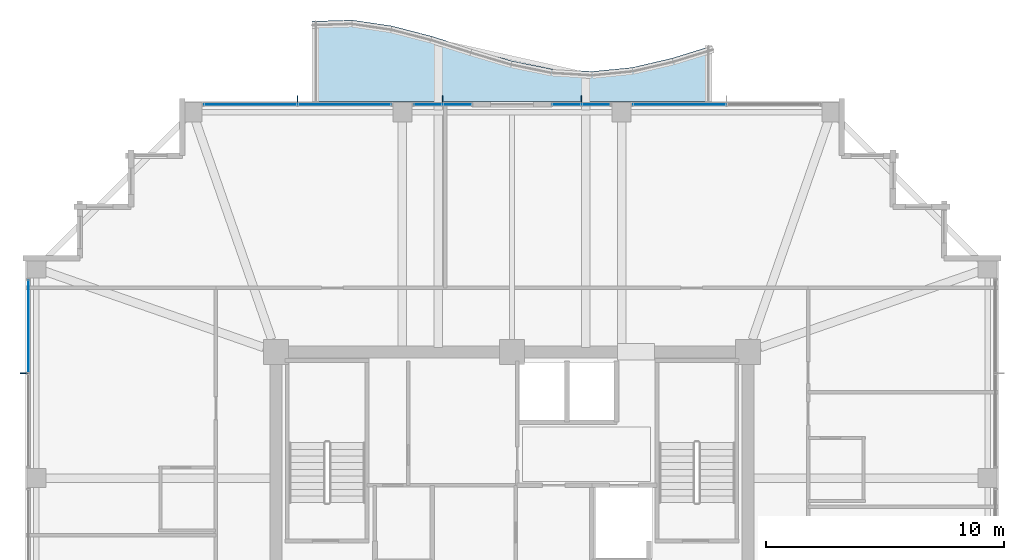
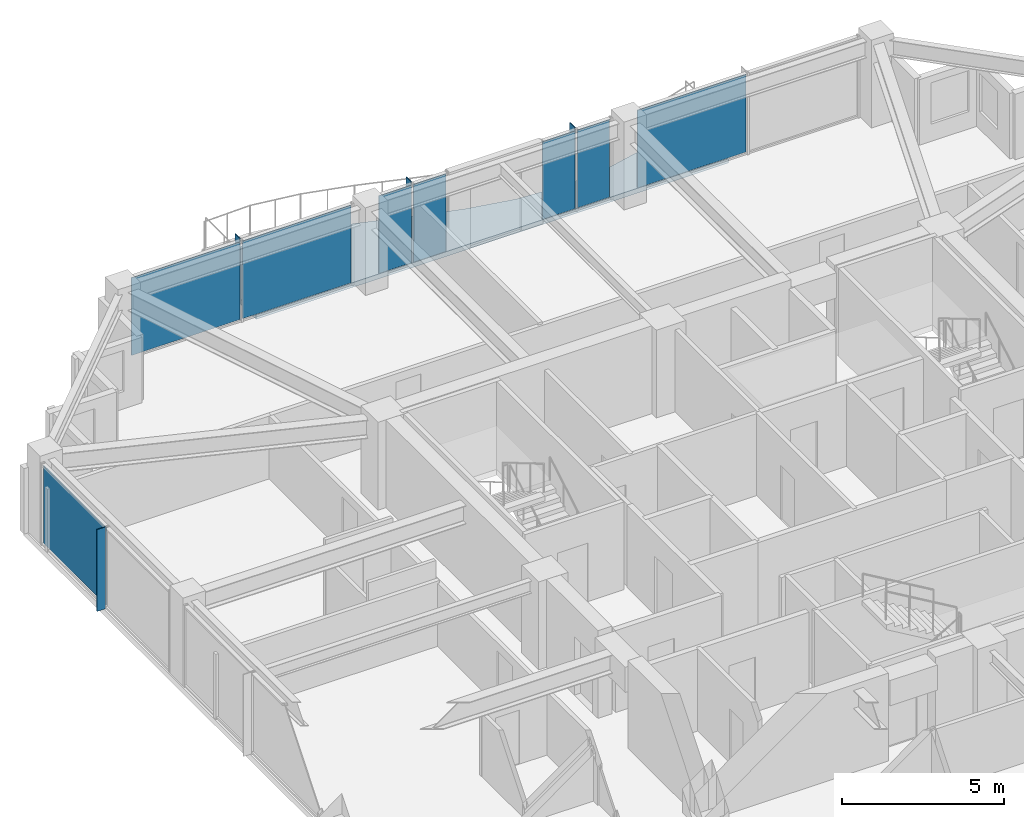
# One storey, part 28 of 36: 12 plates, 1 slab, 5 elements without a shape of their own.
"""IFC4 building model written with IfcOpenShell, lengths in metres."""

from ifc_helpers import new_model, si_unit, direction, frame, origin, origin_2d, place, context, subcontext, project, spatial, polyline, rectangle, outline, extrude, material, layer, layer_set, type_object, element, aggregate, save


model = new_model("IFC4")

# Units and contexts
model_context = context("Model", 3, precision=1e-05, world=origin(), true_north=direction((0.0, 1.0)))
body_context = subcontext(model_context, "Body", "Model", "MODEL_VIEW")
ifc_project = project(units=[si_unit("LENGTHUNIT", "METRE"), si_unit("AREAUNIT", "SQUARE_METRE"), si_unit("VOLUMEUNIT", "CUBIC_METRE"), si_unit("PLANEANGLEUNIT", "RADIAN"), si_unit("MASSUNIT", "GRAM", prefix="KILO")], contexts=[model_context])

# Site, building, storey
site_placement = place(None, origin())
site = spatial("IfcSite", under=ifc_project, at=site_placement, CompositionType="ELEMENT")
building_placement = place(site_placement, origin())
building = spatial("IfcBuilding", under=site, at=building_placement, Name="Kolvaren Belvedere", CompositionType="ELEMENT")
storey_placement = place(building_placement, frame((0.0, 0.0, 199.800048828125)))
storey = spatial("IfcBuildingStorey", under=building, at=storey_placement, Name="L58", CompositionType="ELEMENT", Elevation=199.800048828125)

# Curtain wall, plates
ifc_material_1 = material(Name="Anodised pale-metal aluminium AA 6063-T6", Category="aluminium")
curtain_wall_type = type_object("IfcCurtainWallType", Name="CW-Z5-HIGH", PredefinedType="NOTDEFINED", material=ifc_material_1)
curtain_wall_1_placement = place(storey_placement, origin())
curtain_wall_1 = element("IfcCurtainWall", 1, at=curtain_wall_1_placement, inside=storey, type_object=curtain_wall_type, Name="L58 Unitised Curtain Wall FCW-L58-N1-B1", PredefinedType="NOTDEFINED")
ifc_material_2 = material(Name="Low-iron triple insulated glass", Category="glass")
ifc_layer_1 = layer(ifc_material_2, 0.028076171875)
ifc_layer_set_1 = layer_set([ifc_layer_1], Name="Low-iron triple insulated glass")
plate_type_1 = type_object("IfcPlateType", Name="CW-PNL-VIS28", PredefinedType="CURTAIN_PANEL", material=ifc_layer_set_1)
plate_1_placement = place(storey_placement, frame((-10.972412109375, 20.280029296875, 0.080078125), z_axis=(0.0, 0.0, 1.0), x_axis=(1.0, 0.0, 0.0)))
plate_1 = element("IfcPlate", 2, at=plate_1_placement, type_object=plate_type_1, Name="FCW-L58-N1-B1 Vision Glazing Panel 1", PredefinedType="CURTAIN_PANEL", context=body_context, shape_type="SweptSolid", body=[
    extrude(rectangle(XDim=3.864990234375, YDim=0.028076171875, at=origin_2d()), origin(), (0.0, 0.0, 1.0), 2.919921875),
])
plate_2_placement = place(storey_placement, frame((-7.027587890625, 20.280029296875, 0.080078125), z_axis=(0.0, 0.0, 1.0), x_axis=(1.0, 0.0, 0.0)))
plate_2 = element("IfcPlate", 3, at=plate_2_placement, type_object=plate_type_1, Name="FCW-L58-N1-B1 Vision Glazing Panel 2", PredefinedType="CURTAIN_PANEL", context=body_context, shape_type="SweptSolid", body=[
    extrude(rectangle(XDim=3.864990234375, YDim=0.028076171875, at=origin_2d()), origin(), (0.0, 0.0, 1.0), 2.919921875),
])
aggregate(curtain_wall_1, [plate_1, plate_2])

curtain_wall_2_placement = place(storey_placement, origin())
curtain_wall_2 = element("IfcCurtainWall", 4, at=curtain_wall_2_placement, inside=storey, type_object=curtain_wall_type, Name="L58 Unitised Curtain Wall FCW-L58-N1-B2", PredefinedType="NOTDEFINED")
plate_3_placement = place(storey_placement, frame((-3.52880859375, 20.280029296875, 0.080078125), z_axis=(0.0, 0.0, 1.0), x_axis=(1.0, 0.0, 0.0)))
plate_3 = element("IfcPlate", 5, at=plate_3_placement, type_object=plate_type_1, Name="FCW-L58-N1-B2 Vision Glazing Panel 1", PredefinedType="CURTAIN_PANEL", context=body_context, shape_type="SweptSolid", body=[
    extrude(rectangle(XDim=1.152587890625, YDim=0.028076171875, at=origin_2d()), origin(), (0.0, 0.0, 1.0), 2.919921875),
])
plate_4_placement = place(storey_placement, frame((-2.296142578125, 20.280029296875, 0.080078125), z_axis=(0.0, 0.0, 1.0), x_axis=(1.0, 0.0, 0.0)))
plate_4 = element("IfcPlate", 6, at=plate_4_placement, type_object=plate_type_1, Name="FCW-L58-N1-B2 Vision Glazing Panel 2", PredefinedType="CURTAIN_PANEL", context=body_context, shape_type="SweptSolid", body=[
    extrude(rectangle(XDim=1.152587890625, YDim=0.028076171875, at=origin_2d()), origin(), (0.0, 0.0, 1.0), 2.919921875),
])
aggregate(curtain_wall_2, [plate_3, plate_4])

curtain_wall_3_placement = place(storey_placement, origin())
curtain_wall_3 = element("IfcCurtainWall", 7, at=curtain_wall_3_placement, inside=storey, type_object=curtain_wall_type, Name="L58 Unitised Curtain Wall FCW-L58-N2-B1", PredefinedType="NOTDEFINED")
plate_5_placement = place(storey_placement, frame((2.296142578125, 20.280029296875, 0.080078125), z_axis=(0.0, 0.0, 1.0), x_axis=(1.0, 0.0, 0.0)))
plate_5 = element("IfcPlate", 8, at=plate_5_placement, type_object=plate_type_1, Name="FCW-L58-N2-B1 Vision Glazing Panel 1", PredefinedType="CURTAIN_PANEL", context=body_context, shape_type="SweptSolid", body=[
    extrude(rectangle(XDim=1.152587890625, YDim=0.028076171875, at=origin_2d()), origin(), (0.0, 0.0, 1.0), 2.919921875),
])
plate_6_placement = place(storey_placement, frame((3.52880859375, 20.280029296875, 0.080078125), z_axis=(0.0, 0.0, 1.0), x_axis=(1.0, 0.0, 0.0)))
plate_6 = element("IfcPlate", 9, at=plate_6_placement, type_object=plate_type_1, Name="FCW-L58-N2-B1 Vision Glazing Panel 2", PredefinedType="CURTAIN_PANEL", context=body_context, shape_type="SweptSolid", body=[
    extrude(rectangle(XDim=1.152587890625, YDim=0.028076171875, at=origin_2d()), origin(), (0.0, 0.0, 1.0), 2.919921875),
])
aggregate(curtain_wall_3, [plate_5, plate_6])

# Curtain wall, plate
curtain_wall_4_placement = place(storey_placement, origin())
curtain_wall_4 = element("IfcCurtainWall", 10, at=curtain_wall_4_placement, inside=storey, type_object=curtain_wall_type, Name="L58 Unitised Curtain Wall FCW-L58-N2-B2", PredefinedType="NOTDEFINED")
plate_7_placement = place(storey_placement, frame((7.027587890625, 20.280029296875, 0.080078125), z_axis=(0.0, 0.0, 1.0), x_axis=(1.0, 0.0, 0.0)))
plate_7 = element("IfcPlate", 11, at=plate_7_placement, type_object=plate_type_1, Name="FCW-L58-N2-B2 Vision Glazing Panel 1", PredefinedType="CURTAIN_PANEL", context=body_context, shape_type="SweptSolid", body=[
    extrude(rectangle(XDim=3.864990234375, YDim=0.028076171875, at=origin_2d()), origin(), (0.0, 0.0, 1.0), 2.919921875),
])
aggregate(curtain_wall_4, [plate_7])

curtain_wall_5_placement = place(storey_placement, origin())
curtain_wall_5 = element("IfcCurtainWall", 12, at=curtain_wall_5_placement, inside=storey, type_object=curtain_wall_type, Name="L58 Unitised Curtain Wall FCW-L58-W-B3", PredefinedType="NOTDEFINED")
plate_8_placement = place(storey_placement, frame((-20.280029296875, 10.972412109375, 0.080078125), z_axis=(0.0, 0.0, 1.0), x_axis=(0.0, 1.0, 0.0)))
plate_8 = element("IfcPlate", 13, at=plate_8_placement, type_object=plate_type_1, Name="FCW-L58-W-B3 Vision Glazing Panel 2", PredefinedType="CURTAIN_PANEL", context=body_context, shape_type="SweptSolid", body=[
    extrude(rectangle(XDim=3.864990234375, YDim=0.028076171875, at=origin_2d()), origin(), (0.0, 0.0, 1.0), 2.919921875),
])
aggregate(curtain_wall_5, [plate_8])

# Plates
ifc_material_3 = material(Name="Anodised pale-metal aluminium AA 6063-T6", Category="aluminium")
ifc_layer_2 = layer(ifc_material_3, 0.030029296875)
ifc_layer_set_2 = layer_set([ifc_layer_2], Name="Anodised pale-metal aluminium AA 6063-T6")
plate_type_2 = type_object("IfcPlateType", Name="FIN-VERT-300", PredefinedType="USERDEFINED", material=ifc_layer_set_2)
for number, where, z_axis, x_axis, name in (
    (14, (-9.0, 20.489990234375, 0.0), (0.0, 0.0, 1.0), (0.0, 1.0, 0.0), "L58 Pale-Metal Vertical Shading Fin FCW-L58-N1-B1-1"),
    (15, (-2.91259765625, 20.489990234375, 0.0), (0.0, 0.0, 1.0), (0.0, 1.0, 0.0), "L58 Pale-Metal Vertical Shading Fin FCW-L58-N1-B2-1"),
    (16, (2.91259765625, 20.489990234375, 0.0), (0.0, 0.0, 1.0), (0.0, 1.0, 0.0), "L58 Pale-Metal Vertical Shading Fin FCW-L58-N2-B1-1"),
    (17, (-20.489990234375, 9.0, 0.0), (0.0, 0.0, 1.0), (1.0, 0.0, 0.0), "L58 Pale-Metal Vertical Shading Fin FCW-L58-W-B3-1"),
):
    element("IfcPlate", number, at=place(storey_placement, frame(where, z_axis=z_axis, x_axis=x_axis)), inside=storey, type_object=plate_type_2, Name=name, ObjectType="VERTICAL FIN", PredefinedType="USERDEFINED", context=body_context, shape_type="SweptSolid", body=[
        extrude(rectangle(XDim=0.300048828125, YDim=0.030029296875, at=origin_2d()), origin(), (0.0, 0.0, 1.0), 3.080078125),
    ])

# Slab
ifc_material_4 = material(Name="Concrete C50/60", Category="concrete")
ifc_layer_3 = layer(ifc_material_4, 0.179931640625)
ifc_layer_set_3 = layer_set([ifc_layer_3], Name="Concrete C50/60")
slab_type = type_object("IfcSlabType", Name="SL-BAL-180", PredefinedType="FLOOR", material=ifc_layer_set_3)
slab_placement = place(storey_placement, frame((0.0, 0.0, -0.219970703125)))
element("IfcSlab", 18, at=slab_placement, inside=storey, type_object=slab_type, Name="L58 Planted Balcony BAL-N", PredefinedType="FLOOR", context=body_context, shape_type="SweptSolid", body=[
    extrude(outline(polyline([(-8.39990234375, 20.39990234375), (-6.719970703125, 20.39990234375), (-5.0400390625, 20.39990234375), (-3.360107421875, 20.39990234375), (-1.679931640625, 20.39990234375), (0.0, 20.39990234375), (1.679931640625, 20.39990234375), (3.360107421875, 20.39990234375), (5.0400390625, 20.39990234375), (6.719970703125, 20.39990234375), (8.39990234375, 20.39990234375), (8.39990234375, 22.739990234375), (6.719970703125, 22.2197265625), (5.0400390625, 21.828125), (3.360107421875, 21.662109375), (1.679931640625, 21.7626953125), (0.0, 22.105224609375), (-1.679931640625, 22.6044921875), (-3.360107421875, 23.1376953125), (-5.0400390625, 23.572265625), (-6.719970703125, 23.820068359375), (-8.39990234375, 23.76708984375), (-8.39990234375, 20.39990234375)])), origin(), (0.0, 0.0, 1.0), 0.179931640625),
])

save(model, "model.ifc")
